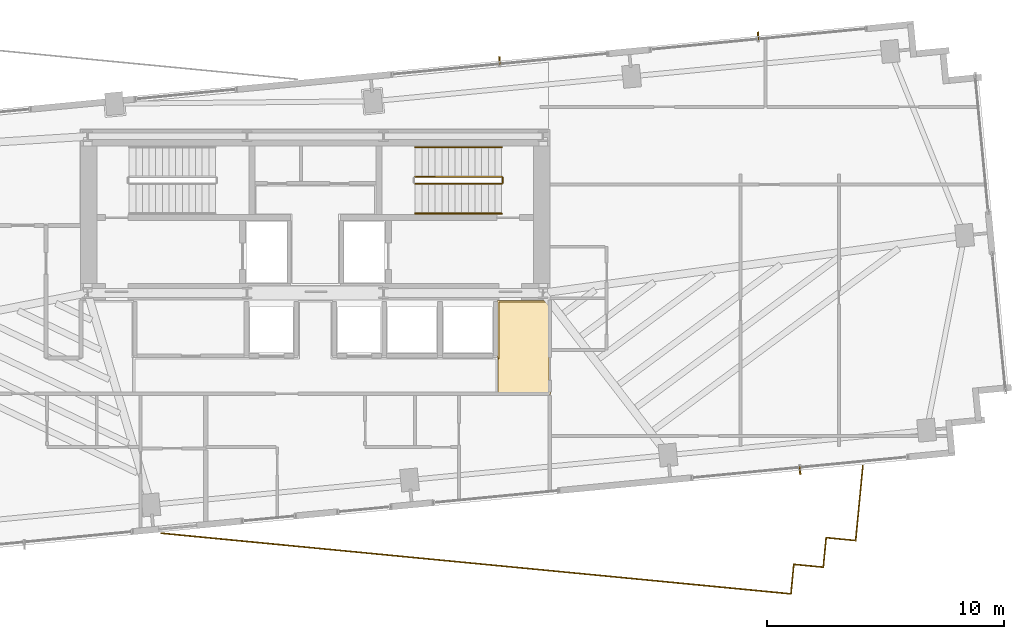
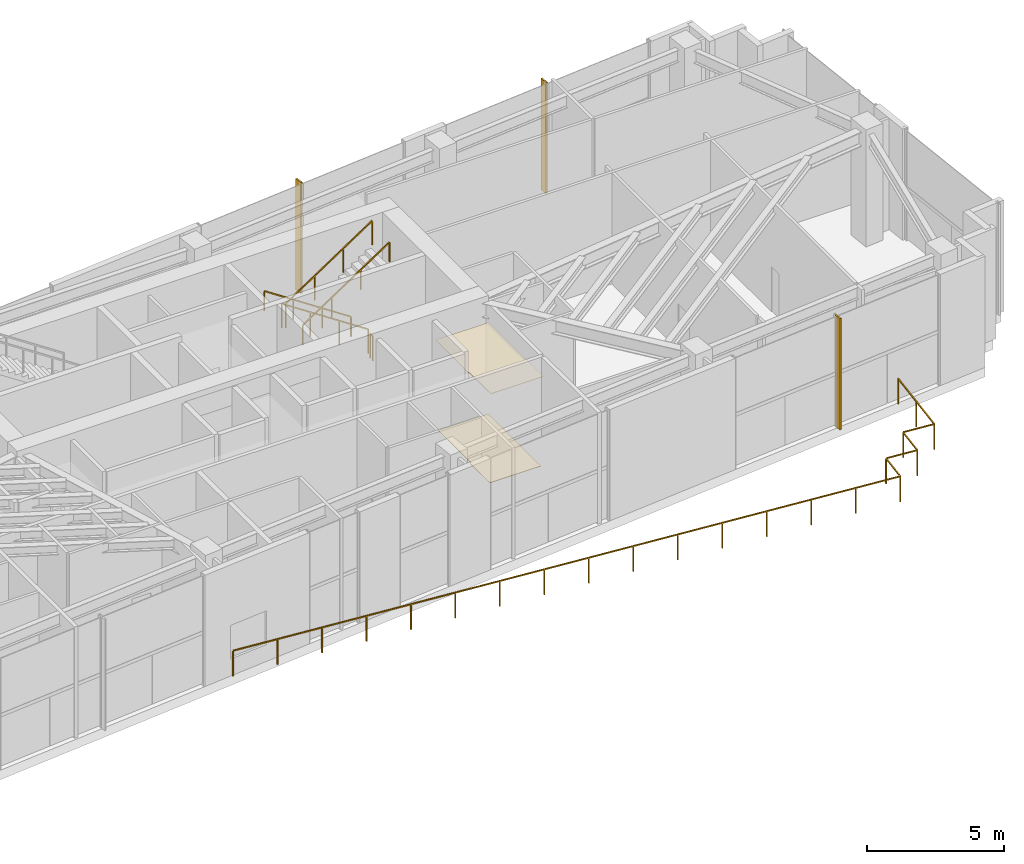
# One storey, part 20 of 21: 7 railings, 3 shading devices, 2 coverings.
"""IFC4 building model written with IfcOpenShell, lengths in metres."""

from ifc_helpers import new_model, si_unit, direction, frame, origin, origin_2d, place, context, subcontext, project, spatial, polyline, rectangle, outline, extrude, source, transform, mapped, material, layer, layer_set, type_object, type_shapes, element, save


model = new_model("IFC4")

# Units and contexts
model_context = context("Model", 3, precision=1e-05, world=origin(), true_north=direction((0.0, 1.0)))
body_context = subcontext(model_context, "Body", "Model", "MODEL_VIEW")
ifc_project = project(units=[si_unit("LENGTHUNIT", "METRE"), si_unit("AREAUNIT", "SQUARE_METRE"), si_unit("VOLUMEUNIT", "CUBIC_METRE"), si_unit("PLANEANGLEUNIT", "RADIAN"), si_unit("MASSUNIT", "GRAM", prefix="KILO")], contexts=[model_context])

# Site, building, storey
site_placement = place(None, origin())
site = spatial("IfcSite", under=ifc_project, at=site_placement, CompositionType="ELEMENT")
building_placement = place(site_placement, origin())
building = spatial("IfcBuilding", under=site, at=building_placement, Name="Astriad Promenade Condominiums", CompositionType="ELEMENT")
storey_placement = place(building_placement, frame((0.0, 0.0, 167.800048828125)))
storey = spatial("IfcBuildingStorey", under=building, at=storey_placement, Name="L48", CompositionType="ELEMENT", Elevation=167.800048828125)

# Coverings
ifc_material_1 = material(Name="Mineral-Fibre Acoustic Ceiling Tile")
ifc_layer_1 = layer(ifc_material_1, 0.02490234375)
ifc_layer_set_1 = layer_set([ifc_layer_1], Name="Mineral-Fibre Acoustic Ceiling Tile")
covering_type_1 = type_object("IfcCoveringType", Name="COV-CEIL-ACOUSTIC-25", PredefinedType="CEILING", material=ifc_layer_set_1)
covering_1_placement = place(storey_placement, frame((0.0, 0.0, 3.994873046875)))
element("IfcCovering", 1, at=covering_1_placement, inside=storey, type_object=covering_type_1, Name="CEIL-L48-COR-1", PredefinedType="CEILING", context=body_context, shape_type="SweptSolid", body=[
    extrude(outline(polyline([(43.669921875, 17.050048828125), (43.670166015625, 17.052978515625), (43.670654296875, 17.055908203125), (43.67138671875, 17.05859375), (43.67236328125, 17.0615234375), (43.673583984375, 17.064208984375), (43.675048828125, 17.066650390625), (43.6767578125, 17.069091796875), (43.6787109375, 17.0712890625), (43.680908203125, 17.0732421875), (43.683349609375, 17.074951171875), (43.685791015625, 17.076416015625), (43.6884765625, 17.07763671875), (43.69140625, 17.07861328125), (43.694091796875, 17.079345703125), (43.697021484375, 17.079833984375), (43.699951171875, 17.080078125), (45.8798828125, 17.080078125), (45.8828125, 17.079833984375), (45.885986328125, 17.079345703125), (45.888671875, 17.07861328125), (45.8916015625, 17.07763671875), (45.89404296875, 17.076416015625), (45.896728515625, 17.074951171875), (45.89892578125, 17.0732421875), (45.901123046875, 17.0712890625), (45.9033203125, 17.069091796875), (45.90478515625, 17.066650390625), (45.906494140625, 17.064208984375), (45.90771484375, 17.0615234375), (45.90869140625, 17.05859375), (45.909423828125, 17.055908203125), (45.909912109375, 17.052978515625), (45.909912109375, 17.050048828125), (45.909912109375, 13.14990234375), (45.909912109375, 13.147216796875), (45.909423828125, 13.14404296875), (45.90869140625, 13.141357421875), (45.90771484375, 13.138427734375), (45.906494140625, 13.135986328125), (45.90478515625, 13.13330078125), (45.9033203125, 13.131103515625), (45.901123046875, 13.12890625), (45.89892578125, 13.126708984375), (45.896728515625, 13.125), (45.89404296875, 13.12353515625), (45.8916015625, 13.122314453125), (45.888671875, 13.121337890625), (45.885986328125, 13.12060546875), (45.8828125, 13.1201171875), (45.8798828125, 13.1201171875), (43.68994140625, 13.1201171875), (43.69091796875, 13.121337890625), (43.692138671875, 13.123046875), (43.693603515625, 13.12548828125), (43.694580078125, 13.127197265625), (43.69580078125, 13.1298828125), (43.696533203125, 13.1318359375), (43.697509765625, 13.134521484375), (43.697998046875, 13.136474609375), (43.69873046875, 13.139404296875), (43.69921875, 13.14111328125), (43.69970703125, 13.14404296875), (43.69970703125, 13.14599609375), (43.699951171875, 13.14892578125), (43.699951171875, 13.14990234375), (43.699951171875, 14.64990234375), (43.699951171875, 14.65087890625), (43.69970703125, 14.65380859375), (43.69970703125, 14.656005859375), (43.69921875, 14.65869140625), (43.69873046875, 14.66064453125), (43.697998046875, 14.66357421875), (43.697509765625, 14.665283203125), (43.696533203125, 14.668212890625), (43.69580078125, 14.669921875), (43.694580078125, 14.672607421875), (43.693603515625, 14.67431640625), (43.692138671875, 14.677001953125), (43.69091796875, 14.6787109375), (43.689208984375, 14.680908203125), (43.68798828125, 14.6826171875), (43.68603515625, 14.6845703125), (43.6845703125, 14.68603515625), (43.6826171875, 14.68798828125), (43.680908203125, 14.689208984375), (43.6787109375, 14.69091796875), (43.677001953125, 14.692138671875), (43.67431640625, 14.693603515625), (43.672607421875, 14.694580078125), (43.669921875, 14.69580078125), (43.669921875, 14.69580078125), (43.669921875, 17.050048828125)])), origin(), (0.0, 0.0, 1.0), 0.025146484375),
])
ifc_material_2 = material(Name="Polished Lakefront Terrazzo Flooring")
ifc_layer_2 = layer(ifc_material_2, 0.02001953125)
ifc_layer_set_2 = layer_set([ifc_layer_2], Name="Polished Lakefront Terrazzo Flooring")
covering_type_2 = type_object("IfcCoveringType", Name="COV-FLOR-TERRAZZO-20", PredefinedType="FLOORING", material=ifc_layer_set_2)
covering_2_placement = place(storey_placement, origin())
element("IfcCovering", 2, at=covering_2_placement, inside=storey, type_object=covering_type_2, Name="FLR-L48-COR-1", PredefinedType="FLOORING", context=body_context, shape_type="SweptSolid", body=[
    extrude(outline(polyline([(43.699951171875, 13.18994140625), (43.699951171875, 14.610107421875), (43.703857421875, 14.610107421875), (43.707763671875, 14.61083984375), (43.711669921875, 14.61181640625), (43.71533203125, 14.613037109375), (43.718994140625, 14.61474609375), (43.72216796875, 14.61669921875), (43.725341796875, 14.619140625), (43.728271484375, 14.62158203125), (43.73095703125, 14.62451171875), (43.7333984375, 14.627685546875), (43.7353515625, 14.631103515625), (43.737060546875, 14.634765625), (43.73828125, 14.638427734375), (43.7392578125, 14.64208984375), (43.73974609375, 14.64599609375), (43.739990234375, 14.64990234375), (43.739990234375, 17.010009765625), (45.840087890625, 17.010009765625), (45.840087890625, 13.18994140625), (43.699951171875, 13.18994140625)])), origin(), (0.0, 0.0, 1.0), 0.02001953125),
])

# Railings
ifc_material_3 = material(Name="Anodised Aluminium and Glass Terrace Guardrail", Category="aluminium")
railing_type_1 = type_object("IfcRailingType", Name="GRD-TERR-1150", PredefinedType="GUARDRAIL", material=ifc_material_3)
shared_shape_1 = source(origin(), body_context, "Body", "SweptSolid", [
    extrude(rectangle(XDim=0.048095703125, YDim=0.048095703125, at=origin_2d()), frame((0.0, 0.0, 1.1259765625), z_axis=(-0.09590594325, -0.995390400822, 0.0), x_axis=(0.995390400822, -0.09590594325, 0.0)), (0.0, 0.0, 1.0), 1.25),
    extrude(rectangle(XDim=0.048095703125, YDim=0.048095703125, at=origin_2d()), frame((-0.119873046875, -1.244140625, 1.1259765625), z_axis=(-0.9954090291, 0.095712406644, 0.0), x_axis=(-0.095712406644, -0.9954090291, 0.0)), (0.0, 0.0, 1.0), 1.25),
    extrude(rectangle(XDim=0.048095703125, YDim=0.048095703125, at=origin_2d()), frame((-1.364013671875, -1.12451171875, 1.1259765625), z_axis=(-0.09590594325, -0.995390400822, 0.0), x_axis=(0.995390400822, -0.09590594325, 0.0)), (0.0, 0.0, 1.0), 1.25),
    extrude(rectangle(XDim=0.048095703125, YDim=0.048095703125, at=origin_2d()), frame((-1.48388671875, -2.36865234375, 1.1259765625), z_axis=(-0.995396544904, 0.095842153533, 0.0), x_axis=(-0.095842153533, -0.995396544904, 0.0)), (0.0, 0.0, 1.0), 26.675537109375),
    extrude(rectangle(XDim=0.0419921875, YDim=0.0419921875, at=origin_2d()), origin(), (0.0, 0.0, 1.0), 1.101806640625),
    extrude(rectangle(XDim=0.0419921875, YDim=0.0419921875, at=origin_2d()), frame((-0.119873046875, -1.244140625, 0.0)), (0.0, 0.0, 1.0), 1.101806640625),
    extrude(rectangle(XDim=0.0419921875, YDim=0.0419921875, at=origin_2d()), frame((-1.364013671875, -1.12451171875, 0.0)), (0.0, 0.0, 1.0), 1.101806640625),
    extrude(rectangle(XDim=0.0419921875, YDim=0.0419921875, at=origin_2d()), frame((-1.48388671875, -2.36865234375, 0.0)), (0.0, 0.0, 1.0), 1.101806640625),
    extrude(rectangle(XDim=0.0419921875, YDim=0.0419921875, at=origin_2d()), frame((-3.254150390625, -2.1982421875, 0.0)), (0.0, 0.0, 1.0), 1.101806640625),
    extrude(rectangle(XDim=0.0419921875, YDim=0.0419921875, at=origin_2d()), frame((-5.024169921875, -2.02783203125, 0.0)), (0.0, 0.0, 1.0), 1.101806640625),
    extrude(rectangle(XDim=0.0419921875, YDim=0.0419921875, at=origin_2d()), frame((-6.79443359375, -1.857421875, 0.0)), (0.0, 0.0, 1.0), 1.101806640625),
    extrude(rectangle(XDim=0.0419921875, YDim=0.0419921875, at=origin_2d()), frame((-8.564697265625, -1.686767578125, 0.0)), (0.0, 0.0, 1.0), 1.101806640625),
    extrude(rectangle(XDim=0.0419921875, YDim=0.0419921875, at=origin_2d()), frame((-10.334716796875, -1.516357421875, 0.0)), (0.0, 0.0, 1.0), 1.101806640625),
    extrude(rectangle(XDim=0.0419921875, YDim=0.0419921875, at=origin_2d()), frame((-12.10498046875, -1.345947265625, 0.0)), (0.0, 0.0, 1.0), 1.101806640625),
    extrude(rectangle(XDim=0.0419921875, YDim=0.0419921875, at=origin_2d()), frame((-13.875244140625, -1.175537109375, 0.0)), (0.0, 0.0, 1.0), 1.101806640625),
    extrude(rectangle(XDim=0.0419921875, YDim=0.0419921875, at=origin_2d()), frame((-15.645263671875, -1.005126953125, 0.0)), (0.0, 0.0, 1.0), 1.101806640625),
    extrude(rectangle(XDim=0.0419921875, YDim=0.0419921875, at=origin_2d()), frame((-17.41552734375, -0.834716796875, 0.0)), (0.0, 0.0, 1.0), 1.101806640625),
    extrude(rectangle(XDim=0.0419921875, YDim=0.0419921875, at=origin_2d()), frame((-19.185791015625, -0.664306640625, 0.0)), (0.0, 0.0, 1.0), 1.101806640625),
    extrude(rectangle(XDim=0.0419921875, YDim=0.0419921875, at=origin_2d()), frame((-20.955810546875, -0.493896484375, 0.0)), (0.0, 0.0, 1.0), 1.101806640625),
    extrude(rectangle(XDim=0.0419921875, YDim=0.0419921875, at=origin_2d()), frame((-22.72607421875, -0.3232421875, 0.0)), (0.0, 0.0, 1.0), 1.101806640625),
    extrude(rectangle(XDim=0.0419921875, YDim=0.0419921875, at=origin_2d()), frame((-24.496337890625, -0.15283203125, 0.0)), (0.0, 0.0, 1.0), 1.101806640625),
    extrude(rectangle(XDim=0.0419921875, YDim=0.0419921875, at=origin_2d()), frame((-26.266357421875, 0.017578125, 0.0)), (0.0, 0.0, 1.0), 1.101806640625),
    extrude(rectangle(XDim=0.0419921875, YDim=0.0419921875, at=origin_2d()), frame((-28.03662109375, 0.18798828125, 0.0)), (0.0, 0.0, 1.0), 1.101806640625),
])
railing_1_placement = place(storey_placement, frame((57.53271484375, 7.084716796875, 0.0)))
element("IfcRailing", 3, at=railing_1_placement, inside=storey, type_object=railing_type_1, Name="GRD-TSTEP-L48-03", PredefinedType="GUARDRAIL", context=body_context, shape_type="MappedRepresentation", body=[
    mapped(shared_shape_1, transform((0.0, 0.0, 0.0), scale=1.0)),
])
shared_shape_2 = source(origin(), body_context, "Body", "SweptSolid", [
    extrude(rectangle(XDim=0.048095703125, YDim=0.048095703125, at=origin_2d()), frame((0.0, 0.0, 1.1259765625), z_axis=(-0.095844425832, -0.995396326112, 0.0), x_axis=(0.995396326112, -0.095844425832, 0.0)), (0.0, 0.0, 1.0), 3.17138671875),
    extrude(rectangle(XDim=0.048095703125, YDim=0.048095703125, at=origin_2d()), frame((-0.303955078125, -3.15673828125, 1.1259765625), z_axis=(-0.995390400822, 0.09590594325, 0.0), x_axis=(-0.09590594325, -0.995390400822, 0.0)), (0.0, 0.0, 1.0), 1.25),
    extrude(rectangle(XDim=0.0419921875, YDim=0.0419921875, at=origin_2d()), origin(), (0.0, 0.0, 1.0), 1.101806640625),
    extrude(rectangle(XDim=0.0419921875, YDim=0.0419921875, at=origin_2d()), frame((-0.15185546875, -1.578369140625, 0.0)), (0.0, 0.0, 1.0), 1.101806640625),
    extrude(rectangle(XDim=0.0419921875, YDim=0.0419921875, at=origin_2d()), frame((-0.303955078125, -3.15673828125, 0.0)), (0.0, 0.0, 1.0), 1.101806640625),
    extrude(rectangle(XDim=0.0419921875, YDim=0.0419921875, at=origin_2d()), frame((-1.548095703125, -3.036865234375, 0.0)), (0.0, 0.0, 1.0), 1.101806640625),
])
type_shapes(railing_type_1, [shared_shape_1, shared_shape_2])
railing_2_placement = place(storey_placement, frame((59.080810546875, 10.12158203125, 0.0)))
element("IfcRailing", 4, at=railing_2_placement, inside=storey, type_object=railing_type_1, Name="GRD-TSTEP-L48-04", PredefinedType="GUARDRAIL", context=body_context, shape_type="MappedRepresentation", body=[
    mapped(shared_shape_2, transform((0.0, 0.0, 0.0), scale=1.0)),
])

# Shading devices
ifc_material_4 = material(Name="Anodised aluminium 6063-T6 Black Fin", Category="aluminium")
shading_device_type = type_object("IfcShadingDeviceType", Name="FIN-BLACK-260", PredefinedType="USERDEFINED", material=ifc_material_4)
shared_shape_3 = source(origin(), body_context, "Body", "SweptSolid", [
    extrude(rectangle(XDim=0.06494140625, YDim=0.320068359375, at=origin_2d()), origin(), (0.0, 0.0, 1.0), 4.93994140625),
])
type_shapes(shading_device_type, [shared_shape_3])
for number, where, z_axis, x_axis, name in (
    (5, (43.76708984375, 27.1923828125, 0.0), (0.0, 0.0, 1.0), (0.995396198367, 0.09584575252, 0.0), "CW-L48-N-3-FIN-01"),
    (6, (54.666748046875, 28.241943359375, 0.0), (0.0, 0.0, 1.0), (0.995396198367, 0.09584575252, 0.0), "CW-L48-N-4-FIN-01"),
    (7, (56.431884765625, 9.906494140625, 0.0), (0.0, 0.0, 1.0), (-0.995396198367, -0.09584575252, 0.0), "CW-L48-S-1-FIN-01"),
):
    element("IfcShadingDevice", number, at=place(storey_placement, frame(where, z_axis=z_axis, x_axis=x_axis)), inside=storey, type_object=shading_device_type, Name=name, ObjectType="FIN", PredefinedType="USERDEFINED", context=body_context, shape_type="MappedRepresentation", body=[
        mapped(shared_shape_3, transform((0.0, 0.0, 0.0), scale=1.0)),
    ])

# Railings
ifc_material_5 = material(Name="Painted Galvanised Steel Guardrail", Category="steel")
railing_type_2 = type_object("IfcRailingType", Name="GRD-STAIR-1100", PredefinedType="GUARDRAIL", material=ifc_material_5)
shared_shape_4 = source(origin(), body_context, "Body", "SweptSolid", [
    extrude(rectangle(XDim=0.048095703125, YDim=0.048095703125, at=origin_2d()), frame((0.0, 0.0, 1.076171875), z_axis=(0.833363587613, 0.0, 0.552725185641), x_axis=(0.0, 1.0, 0.0)), (0.0, 0.0, 1.0), 4.367919921875),
    extrude(rectangle(XDim=0.0419921875, YDim=0.0419921875, at=origin_2d()), origin(), (0.0, 0.0, 1.0), 1.052001953125),
    extrude(rectangle(XDim=0.0419921875, YDim=0.0419921875, at=origin_2d()), frame((1.21337890625, 0.0, 0.8046875)), (0.0, 0.0, 1.0), 1.052001953125),
    extrude(rectangle(XDim=0.0419921875, YDim=0.0419921875, at=origin_2d()), frame((2.4267578125, 0.0, 1.609619140625)), (0.0, 0.0, 1.0), 1.052001953125),
    extrude(rectangle(XDim=0.0419921875, YDim=0.0419921875, at=origin_2d()), frame((3.64013671875, 0.0, 2.414306640625)), (0.0, 0.0, 1.0), 1.052001953125),
])
railing_3_placement = place(storey_placement, frame((40.2099609375, 22.0, 2.78564453125)))
element("IfcRailing", 8, at=railing_3_placement, inside=storey, type_object=railing_type_2, Name="L48 ST-2 stair guard 3", PredefinedType="GUARDRAIL", context=body_context, shape_type="MappedRepresentation", body=[
    mapped(shared_shape_4, transform((0.0, 0.0, 0.0), scale=1.0)),
])
shared_shape_5 = source(origin(), body_context, "Body", "SweptSolid", [
    extrude(rectangle(XDim=0.048095703125, YDim=0.048095703125, at=origin_2d()), frame((0.0, 0.0, 1.076171875), z_axis=(-0.833363587613, 0.0, 0.552725185641), x_axis=(0.0, -1.0, 0.0)), (0.0, 0.0, 1.0), 4.367919921875),
    extrude(rectangle(XDim=0.0419921875, YDim=0.0419921875, at=origin_2d()), origin(), (0.0, 0.0, 1.0), 1.052001953125),
    extrude(rectangle(XDim=0.0419921875, YDim=0.0419921875, at=origin_2d()), frame((-1.21337890625, 0.0, 0.8046875)), (0.0, 0.0, 1.0), 1.052001953125),
    extrude(rectangle(XDim=0.0419921875, YDim=0.0419921875, at=origin_2d()), frame((-2.4267578125, 0.0, 1.609619140625)), (0.0, 0.0, 1.0), 1.052001953125),
    extrude(rectangle(XDim=0.0419921875, YDim=0.0419921875, at=origin_2d()), frame((-3.64013671875, 0.0, 2.414306640625)), (0.0, 0.0, 1.0), 1.052001953125),
])
railing_4_placement = place(storey_placement, frame((43.85009765625, 22.300048828125, 0.185546875)))
element("IfcRailing", 9, at=railing_4_placement, inside=storey, type_object=railing_type_2, Name="L48 ST-2 stair guard 1", PredefinedType="GUARDRAIL", context=body_context, shape_type="MappedRepresentation", body=[
    mapped(shared_shape_5, transform((0.0, 0.0, 0.0), scale=1.0)),
])
ifc_material_6 = material(Name="Brushed Stainless Steel Handrail", Category="steel")
railing_type_3 = type_object("IfcRailingType", Name="HRL-STAIR-920", PredefinedType="HANDRAIL", material=ifc_material_6)
shared_shape_6 = source(origin(), body_context, "Body", "SweptSolid", [
    extrude(rectangle(XDim=0.048095703125, YDim=0.048095703125, at=origin_2d()), frame((0.0, 0.0, 0.8759765625), z_axis=(0.833363587613, 0.0, 0.552725185641), x_axis=(0.0, 1.0, 0.0)), (0.0, 0.0, 1.0), 4.367919921875),
    extrude(rectangle(XDim=0.0419921875, YDim=0.0419921875, at=origin_2d()), origin(), (0.0, 0.0, 1.0), 0.851806640625),
    extrude(rectangle(XDim=0.0419921875, YDim=0.0419921875, at=origin_2d()), frame((1.21337890625, 0.0, 0.8046875)), (0.0, 0.0, 1.0), 0.851806640625),
    extrude(rectangle(XDim=0.0419921875, YDim=0.0419921875, at=origin_2d()), frame((2.4267578125, 0.0, 1.609619140625)), (0.0, 0.0, 1.0), 0.851806640625),
    extrude(rectangle(XDim=0.0419921875, YDim=0.0419921875, at=origin_2d()), frame((3.64013671875, 0.0, 2.414306640625)), (0.0, 0.0, 1.0), 0.851806640625),
])
railing_5_placement = place(storey_placement, frame((40.2099609375, 20.75, 2.78564453125)))
element("IfcRailing", 10, at=railing_5_placement, inside=storey, type_object=railing_type_3, Name="L48 ST-2 stair handrail 2", PredefinedType="HANDRAIL", context=body_context, shape_type="MappedRepresentation", body=[
    mapped(shared_shape_6, transform((0.0, 0.0, 0.0), scale=1.0)),
])
shared_shape_7 = source(origin(), body_context, "Body", "SweptSolid", [
    extrude(rectangle(XDim=0.048095703125, YDim=0.048095703125, at=origin_2d()), frame((0.0, 0.0, 0.8759765625), z_axis=(-0.833363587613, 0.0, 0.552725185641), x_axis=(0.0, -1.0, 0.0)), (0.0, 0.0, 1.0), 4.367919921875),
    extrude(rectangle(XDim=0.0419921875, YDim=0.0419921875, at=origin_2d()), origin(), (0.0, 0.0, 1.0), 0.851806640625),
    extrude(rectangle(XDim=0.0419921875, YDim=0.0419921875, at=origin_2d()), frame((-1.21337890625, 0.0, 0.8046875)), (0.0, 0.0, 1.0), 0.851806640625),
    extrude(rectangle(XDim=0.0419921875, YDim=0.0419921875, at=origin_2d()), frame((-2.4267578125, 0.0, 1.609619140625)), (0.0, 0.0, 1.0), 0.851806640625),
    extrude(rectangle(XDim=0.0419921875, YDim=0.0419921875, at=origin_2d()), frame((-3.64013671875, 0.0, 2.414306640625)), (0.0, 0.0, 1.0), 0.851806640625),
])
type_shapes(railing_type_3, [shared_shape_6, shared_shape_7])
railing_6_placement = place(storey_placement, frame((43.85009765625, 23.550048828125, 0.185546875)))
element("IfcRailing", 11, at=railing_6_placement, inside=storey, type_object=railing_type_3, Name="L48 ST-2 stair handrail 1", PredefinedType="HANDRAIL", context=body_context, shape_type="MappedRepresentation", body=[
    mapped(shared_shape_7, transform((0.0, 0.0, 0.0), scale=1.0)),
])
shared_shape_8 = source(origin(), body_context, "Body", "SweptSolid", [
    extrude(rectangle(XDim=0.048095703125, YDim=0.048095703125, at=origin_2d()), frame((0.0, 0.0, 1.076171875), z_axis=(0.0, -1.0, 0.0), x_axis=(1.0, 0.0, 0.0)), (0.0, 0.0, 1.0), 0.199951171875),
    extrude(rectangle(XDim=0.0419921875, YDim=0.0419921875, at=origin_2d()), origin(), (0.0, 0.0, 1.0), 1.052001953125),
    extrude(rectangle(XDim=0.0419921875, YDim=0.0419921875, at=origin_2d()), frame((0.0, -0.199951171875, 0.0)), (0.0, 0.0, 1.0), 1.052001953125),
])
type_shapes(railing_type_2, [shared_shape_4, shared_shape_5, shared_shape_8])
railing_7_placement = place(storey_placement, frame((43.89990234375, 22.25, 0.0)))
element("IfcRailing", 12, at=railing_7_placement, inside=storey, type_object=railing_type_2, Name="L48 ST-2 stair guard 4", PredefinedType="GUARDRAIL", context=body_context, shape_type="MappedRepresentation", body=[
    mapped(shared_shape_8, transform((0.0, 0.0, 0.0), scale=1.0)),
])

save(model, "model.ifc")
